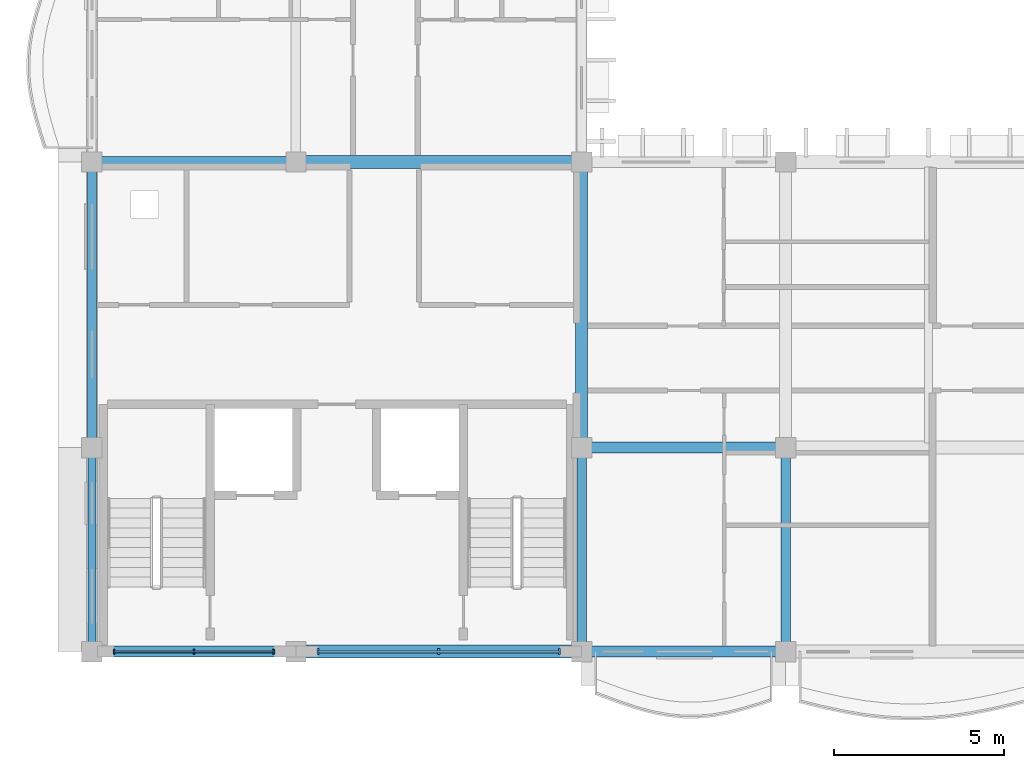
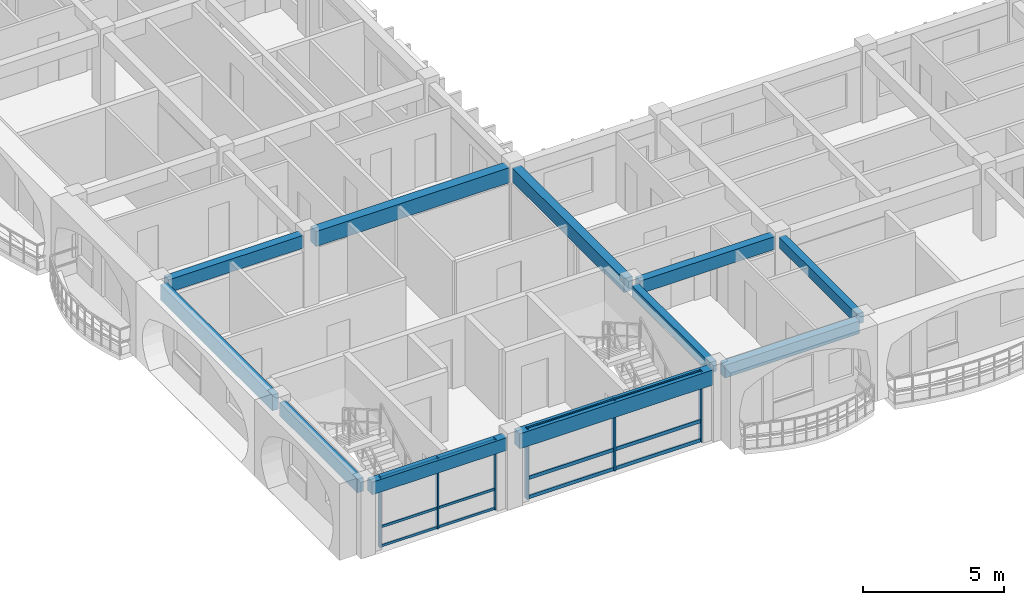
# One storey, part 3 of 70: 12 members, 11 beams, 2 elements without a shape of their own.
"""IFC4 building model written with IfcOpenShell, lengths in metres."""

from ifc_helpers import new_model, si_unit, direction, frame, origin, origin_2d, place, context, subcontext, project, spatial, rectangle, extrude, material, material_profile, profile_set, type_object, element, aggregate, save


model = new_model("IFC4")

# Units and contexts
model_context = context("Model", 3, precision=1e-05, world=origin(), true_north=direction((0.0, 1.0)))
body_context = subcontext(model_context, "Body", "Model", "MODEL_VIEW")
ifc_project = project(units=[si_unit("LENGTHUNIT", "METRE"), si_unit("AREAUNIT", "SQUARE_METRE"), si_unit("VOLUMEUNIT", "CUBIC_METRE"), si_unit("PLANEANGLEUNIT", "RADIAN"), si_unit("MASSUNIT", "GRAM", prefix="KILO"), si_unit("THERMODYNAMICTEMPERATUREUNIT", "KELVIN")], contexts=[model_context])

# Site, building, storey
site_placement = place(None, origin())
site = spatial("IfcSite", under=ifc_project, at=site_placement, CompositionType="ELEMENT")
building_placement = place(site_placement, origin())
building = spatial("IfcBuilding", under=site, at=building_placement, Name="Thalorik Housing Commons", CompositionType="ELEMENT")
storey_placement = place(building_placement, frame((0.0, 0.0, 14.699951171875)))
storey = spatial("IfcBuildingStorey", under=building, at=storey_placement, Name="L04", CompositionType="ELEMENT", Elevation=14.699951171875)

# Curtain wall, members
ifc_material_1 = material(Name="Anodised aluminium and solar-control low-E glass", Category="aluminium")
curtain_wall_type = type_object("IfcCurtainWallType", Name="ARC-CW-CORE", PredefinedType="USERDEFINED", material=ifc_material_1)
curtain_wall_1_placement = place(storey_placement, origin())
curtain_wall_1 = element("IfcCurtainWall", 1, at=curtain_wall_1_placement, inside=storey, type_object=curtain_wall_type, Name="L04 Curtain Wall CW-CORE-L04-C-144", ObjectType="CURTAIN WALL", PredefinedType="USERDEFINED")
ifc_material_2 = material(Name="Anodised aluminium 6063-T6", Category="aluminium")
ifc_material_profile_1 = material_profile(ifc_material_2, rectangle(XDim=0.054931640625, YDim=0.139892578125, at=origin_2d()), Name="ALU MUL 55x140", Category="aluminium")
ifc_profile_set_1 = profile_set([ifc_material_profile_1], Name="Anodised aluminium 6063-T6")
member_type_1 = type_object("IfcMemberType", Name="ARC-CW-MUL-55x140", PredefinedType="MULLION", material=ifc_profile_set_1)
member_1_placement = place(storey_placement, frame((9.050048828125, 8.39990234375, 0.0), z_axis=(0.0, 0.0, 1.0), x_axis=(1.0, 0.0, 0.0)))
member_1 = element("IfcMember", 2, at=member_1_placement, type_object=member_type_1, Name="CW-CORE-L04-C-144 Mullion 1", PredefinedType="MULLION", context=body_context, shape_type="SweptSolid", body=[
    extrude(rectangle(XDim=0.054931640625, YDim=0.139892578125, at=origin_2d()), origin(), (0.0, 0.0, 1.0), 3.0400390625),
])
member_2_placement = place(storey_placement, frame((11.39990234375, 8.39990234375, 0.0), z_axis=(0.0, 0.0, 1.0), x_axis=(1.0, 0.0, 0.0)))
member_2 = element("IfcMember", 3, at=member_2_placement, type_object=member_type_1, Name="CW-CORE-L04-C-144 Mullion 2", PredefinedType="MULLION", context=body_context, shape_type="SweptSolid", body=[
    extrude(rectangle(XDim=0.054931640625, YDim=0.139892578125, at=origin_2d()), origin(), (0.0, 0.0, 1.0), 3.0400390625),
])
member_3_placement = place(storey_placement, frame((13.75, 8.39990234375, 0.0), z_axis=(0.0, 0.0, 1.0), x_axis=(1.0, 0.0, 0.0)))
member_3 = element("IfcMember", 4, at=member_3_placement, type_object=member_type_1, Name="CW-CORE-L04-C-144 Mullion 3", PredefinedType="MULLION", context=body_context, shape_type="SweptSolid", body=[
    extrude(rectangle(XDim=0.054931640625, YDim=0.139892578125, at=origin_2d()), origin(), (0.0, 0.0, 1.0), 3.0400390625),
])

curtain_wall_2_placement = place(storey_placement, origin())
curtain_wall_2 = element("IfcCurtainWall", 5, at=curtain_wall_2_placement, inside=storey, type_object=curtain_wall_type, Name="L04 Curtain Wall CW-CORE-L04-C-145", ObjectType="CURTAIN WALL", PredefinedType="USERDEFINED")
ifc_material_profile_2 = material_profile(ifc_material_2, rectangle(XDim=0.06494140625, YDim=0.179931640625, at=origin_2d()), Name="ALU MUL 65x180", Category="aluminium")
ifc_profile_set_2 = profile_set([ifc_material_profile_2], Name="Anodised aluminium 6063-T6")
member_type_2 = type_object("IfcMemberType", Name="ARC-CW-MUL-65x180", PredefinedType="MULLION", material=ifc_profile_set_2)
member_4_placement = place(storey_placement, frame((15.050048828125, 8.39990234375, 0.0), z_axis=(0.0, 0.0, 1.0), x_axis=(1.0, 0.0, 0.0)))
member_4 = element("IfcMember", 6, at=member_4_placement, type_object=member_type_2, Name="CW-CORE-L04-C-145 Mullion 1", PredefinedType="MULLION", context=body_context, shape_type="SweptSolid", body=[
    extrude(rectangle(XDim=0.06494140625, YDim=0.179931640625, at=origin_2d()), origin(), (0.0, 0.0, 1.0), 3.0400390625),
])
member_5_placement = place(storey_placement, frame((18.60009765625, 8.39990234375, 0.0), z_axis=(0.0, 0.0, 1.0), x_axis=(1.0, 0.0, 0.0)))
member_5 = element("IfcMember", 7, at=member_5_placement, type_object=member_type_2, Name="CW-CORE-L04-C-145 Mullion 2", PredefinedType="MULLION", context=body_context, shape_type="SweptSolid", body=[
    extrude(rectangle(XDim=0.06494140625, YDim=0.179931640625, at=origin_2d()), origin(), (0.0, 0.0, 1.0), 3.0400390625),
])
member_6_placement = place(storey_placement, frame((22.14990234375, 8.39990234375, 0.0), z_axis=(0.0, 0.0, 1.0), x_axis=(1.0, 0.0, 0.0)))
member_6 = element("IfcMember", 8, at=member_6_placement, type_object=member_type_2, Name="CW-CORE-L04-C-145 Mullion 3", PredefinedType="MULLION", context=body_context, shape_type="SweptSolid", body=[
    extrude(rectangle(XDim=0.06494140625, YDim=0.179931640625, at=origin_2d()), origin(), (0.0, 0.0, 1.0), 3.0400390625),
])

# Member
ifc_material_profile_3 = material_profile(ifc_material_2, rectangle(XDim=0.054931640625, YDim=0.10498046875, at=origin_2d()), Name="ALU TRN 55x105", Category="aluminium")
ifc_profile_set_3 = profile_set([ifc_material_profile_3], Name="Anodised aluminium 6063-T6")
member_type_3 = type_object("IfcMemberType", Name="ARC-CW-TRN-55x105", PredefinedType="USERDEFINED", material=ifc_profile_set_3)
member_7_placement = place(storey_placement, frame((9.050048828125, 8.39990234375, 0.054931640625), z_axis=(1.0, 0.0, 0.0), x_axis=(0.0, 1.0, 0.0)))
member_7 = element("IfcMember", 9, at=member_7_placement, type_object=member_type_3, Name="CW-CORE-L04-C-144 Transom 1", ObjectType="TRANSOM", PredefinedType="USERDEFINED", context=body_context, shape_type="SweptSolid", body=[
    extrude(rectangle(XDim=0.054931640625, YDim=0.10498046875, at=origin_2d()), origin(), (0.0, 0.0, 1.0), 4.699951171875),
])

member_8_placement = place(storey_placement, frame((9.050048828125, 8.39990234375, 0.880126953125), z_axis=(1.0, 0.0, 0.0), x_axis=(0.0, 1.0, 0.0)))
member_8 = element("IfcMember", 10, at=member_8_placement, type_object=member_type_3, Name="CW-CORE-L04-C-144 Transom 2", ObjectType="TRANSOM", PredefinedType="USERDEFINED", context=body_context, shape_type="SweptSolid", body=[
    extrude(rectangle(XDim=0.054931640625, YDim=0.10498046875, at=origin_2d()), origin(), (0.0, 0.0, 1.0), 4.699951171875),
])

member_9_placement = place(storey_placement, frame((9.050048828125, 8.39990234375, 2.985107421875), z_axis=(1.0, 0.0, 0.0), x_axis=(0.0, 1.0, 0.0)))
member_9 = element("IfcMember", 11, at=member_9_placement, type_object=member_type_3, Name="CW-CORE-L04-C-144 Transom 3", ObjectType="TRANSOM", PredefinedType="USERDEFINED", context=body_context, shape_type="SweptSolid", body=[
    extrude(rectangle(XDim=0.054931640625, YDim=0.10498046875, at=origin_2d()), origin(), (0.0, 0.0, 1.0), 4.699951171875),
])

aggregate(curtain_wall_1, [member_1, member_2, member_3, member_7, member_8, member_9])

ifc_material_profile_4 = material_profile(ifc_material_2, rectangle(XDim=0.06494140625, YDim=0.14990234375, at=origin_2d()), Name="ALU TRN 65x150", Category="aluminium")
ifc_profile_set_4 = profile_set([ifc_material_profile_4], Name="Anodised aluminium 6063-T6")
member_type_4 = type_object("IfcMemberType", Name="ARC-CW-TRN-65x150", PredefinedType="USERDEFINED", material=ifc_profile_set_4)
member_10_placement = place(storey_placement, frame((15.050048828125, 8.39990234375, 0.054931640625), z_axis=(1.0, 0.0, 0.0), x_axis=(0.0, 1.0, 0.0)))
member_10 = element("IfcMember", 12, at=member_10_placement, type_object=member_type_4, Name="CW-CORE-L04-C-145 Transom 1", ObjectType="TRANSOM", PredefinedType="USERDEFINED", context=body_context, shape_type="SweptSolid", body=[
    extrude(rectangle(XDim=0.06494140625, YDim=0.14990234375, at=origin_2d()), origin(), (0.0, 0.0, 1.0), 7.099853515625),
])

member_11_placement = place(storey_placement, frame((15.050048828125, 8.39990234375, 0.880126953125), z_axis=(1.0, 0.0, 0.0), x_axis=(0.0, 1.0, 0.0)))
member_11 = element("IfcMember", 13, at=member_11_placement, type_object=member_type_4, Name="CW-CORE-L04-C-145 Transom 2", ObjectType="TRANSOM", PredefinedType="USERDEFINED", context=body_context, shape_type="SweptSolid", body=[
    extrude(rectangle(XDim=0.06494140625, YDim=0.14990234375, at=origin_2d()), origin(), (0.0, 0.0, 1.0), 7.099853515625),
])

member_12_placement = place(storey_placement, frame((15.050048828125, 8.39990234375, 2.985107421875), z_axis=(1.0, 0.0, 0.0), x_axis=(0.0, 1.0, 0.0)))
member_12 = element("IfcMember", 14, at=member_12_placement, type_object=member_type_4, Name="CW-CORE-L04-C-145 Transom 3", ObjectType="TRANSOM", PredefinedType="USERDEFINED", context=body_context, shape_type="SweptSolid", body=[
    extrude(rectangle(XDim=0.06494140625, YDim=0.14990234375, at=origin_2d()), origin(), (0.0, 0.0, 1.0), 7.099853515625),
])

aggregate(curtain_wall_2, [member_4, member_5, member_6, member_10, member_11, member_12])

# Beams
ifc_material_3 = material(Name="Precast concrete C40/50", Category="concrete")
ifc_material_profile_5 = material_profile(ifc_material_3, rectangle(XDim=0.280029296875, YDim=0.449951171875, at=origin_2d()), Name="PC 280x450", Category="concrete")
ifc_profile_set_5 = profile_set([ifc_material_profile_5], Name="Precast concrete C40/50")
beam_type_1 = type_object("IfcBeamType", Name="STR-BM-PC280x450", PredefinedType="BEAM", material=ifc_profile_set_5)
for number, where, z_axis, x_axis, name in (
    (15, (22.800048828125, 8.64990234375, 2.81494140625), (0.0, 1.0, 0.0), (-1.0, 0.0, 0.0), "L04 Beam B-450"),
    (16, (28.800048828125, 8.64990234375, 2.81494140625), (0.0, 1.0, 0.0), (-1.0, 0.0, 0.0), "L04 Beam B-450"),
):
    element("IfcBeam", number, at=place(storey_placement, frame(where, z_axis=z_axis, x_axis=x_axis)), inside=storey, type_object=beam_type_1, Name=name, PredefinedType="BEAM", context=body_context, shape_type="SweptSolid", body=[
        extrude(rectangle(XDim=0.280029296875, YDim=0.449951171875, at=origin_2d()), origin(), (0.0, 0.0, 1.0), 5.5),
    ])
ifc_material_profile_6 = material_profile(ifc_material_3, rectangle(XDim=0.320068359375, YDim=0.550048828125, at=origin_2d()), Name="PC 320x550", Category="concrete")
ifc_profile_set_6 = profile_set([ifc_material_profile_6], Name="Precast concrete C40/50")
beam_type_2 = type_object("IfcBeamType", Name="STR-BM-PC320x550", PredefinedType="BEAM", material=ifc_profile_set_6)
for number, where, z_axis, x_axis, name in (
    (17, (8.64990234375, 8.39990234375, 2.76513671875), (1.0, 0.0, 0.0), (0.0, 1.0, 0.0), "L04 Beam B-550"),
    (18, (23.050048828125, 8.39990234375, 2.76513671875), (1.0, 0.0, 0.0), (0.0, 1.0, 0.0), "L04 Beam B-550"),
    (19, (23.050048828125, 14.39990234375, 2.76513671875), (1.0, 0.0, 0.0), (0.0, 1.0, 0.0), "L04 Beam B-550"),
    (20, (8.64990234375, 22.800048828125, 2.76513671875), (1.0, 0.0, 0.0), (0.0, 1.0, 0.0), "L04 Beam B-550"),
):
    element("IfcBeam", number, at=place(storey_placement, frame(where, z_axis=z_axis, x_axis=x_axis)), inside=storey, type_object=beam_type_2, Name=name, PredefinedType="BEAM", context=body_context, shape_type="SweptSolid", body=[
        extrude(rectangle(XDim=0.320068359375, YDim=0.550048828125, at=origin_2d()), origin(), (0.0, 0.0, 1.0), 5.5),
    ])
ifc_material_profile_7 = material_profile(ifc_material_3, rectangle(XDim=0.35009765625, YDim=0.60009765625, at=origin_2d()), Name="PC 350x600", Category="concrete")
ifc_profile_set_7 = profile_set([ifc_material_profile_7], Name="Precast concrete C40/50")
beam_type_3 = type_object("IfcBeamType", Name="STR-BM-PC350x600", PredefinedType="BEAM", material=ifc_profile_set_7)
beam_1_placement = place(storey_placement, frame((22.800048828125, 14.64990234375, 2.739990234375), z_axis=(0.0, 1.0, 0.0), x_axis=(-1.0, 0.0, 0.0)))
element("IfcBeam", 21, at=beam_1_placement, inside=storey, type_object=beam_type_3, Name="L04 Beam B-600", PredefinedType="BEAM", context=body_context, shape_type="SweptSolid", body=[
    extrude(rectangle(XDim=0.35009765625, YDim=0.60009765625, at=origin_2d()), origin(), (0.0, 0.0, 1.0), 7.900146484375),
])
ifc_material_profile_8 = material_profile(ifc_material_3, rectangle(XDim=0.3798828125, YDim=0.64990234375, at=origin_2d()), Name="PC 380x650", Category="concrete")
ifc_profile_set_8 = profile_set([ifc_material_profile_8], Name="Precast concrete C40/50")
beam_type_4 = type_object("IfcBeamType", Name="STR-BM-PC380x650", PredefinedType="BEAM", material=ifc_profile_set_8)
for number, where, z_axis, x_axis, name in (
    (22, (14.64990234375, 8.39990234375, 2.715087890625), (1.0, 0.0, 0.0), (0.0, 1.0, 0.0), "L04 Beam B-650"),
    (23, (14.64990234375, 22.800048828125, 2.715087890625), (1.0, 0.0, 0.0), (0.0, 1.0, 0.0), "L04 Beam B-650"),
):
    element("IfcBeam", number, at=place(storey_placement, frame(where, z_axis=z_axis, x_axis=x_axis)), inside=storey, type_object=beam_type_4, Name=name, PredefinedType="BEAM", context=body_context, shape_type="SweptSolid", body=[
        extrude(rectangle(XDim=0.3798828125, YDim=0.64990234375, at=origin_2d()), origin(), (0.0, 0.0, 1.0), 7.900146484375),
    ])
ifc_material_profile_9 = material_profile(ifc_material_3, rectangle(XDim=0.239990234375, YDim=0.580078125, at=origin_2d()), Name="PC SP 240x580", Category="concrete")
ifc_profile_set_9 = profile_set([ifc_material_profile_9], Name="Precast concrete C40/50")
beam_type_5 = type_object("IfcBeamType", Name="STR-SP-PC240x580", PredefinedType="SPANDREL", material=ifc_profile_set_9)
beam_2_placement = place(storey_placement, frame((8.39990234375, 8.64990234375, 2.75), z_axis=(0.0, 1.0, 0.0), x_axis=(-1.0, 0.0, 0.0)))
element("IfcBeam", 24, at=beam_2_placement, inside=storey, type_object=beam_type_5, Name="L04 Beam B-450", PredefinedType="SPANDREL", context=body_context, shape_type="SweptSolid", body=[
    extrude(rectangle(XDim=0.239990234375, YDim=0.580078125, at=origin_2d()), origin(), (0.0, 0.0, 1.0), 5.5),
])
ifc_material_profile_10 = material_profile(ifc_material_3, rectangle(XDim=0.260009765625, YDim=0.679931640625, at=origin_2d()), Name="PC SP 260x680", Category="concrete")
ifc_profile_set_10 = profile_set([ifc_material_profile_10], Name="Precast concrete C40/50")
beam_type_6 = type_object("IfcBeamType", Name="STR-SP-PC260x680", PredefinedType="SPANDREL", material=ifc_profile_set_10)
beam_3_placement = place(storey_placement, frame((8.39990234375, 14.64990234375, 2.699951171875), z_axis=(0.0, 1.0, 0.0), x_axis=(-1.0, 0.0, 0.0)))
element("IfcBeam", 25, at=beam_3_placement, inside=storey, type_object=beam_type_6, Name="L04 Beam B-600", PredefinedType="SPANDREL", context=body_context, shape_type="SweptSolid", body=[
    extrude(rectangle(XDim=0.260009765625, YDim=0.679931640625, at=origin_2d()), origin(), (0.0, 0.0, 1.0), 7.900146484375),
])

save(model, "model.ifc")
